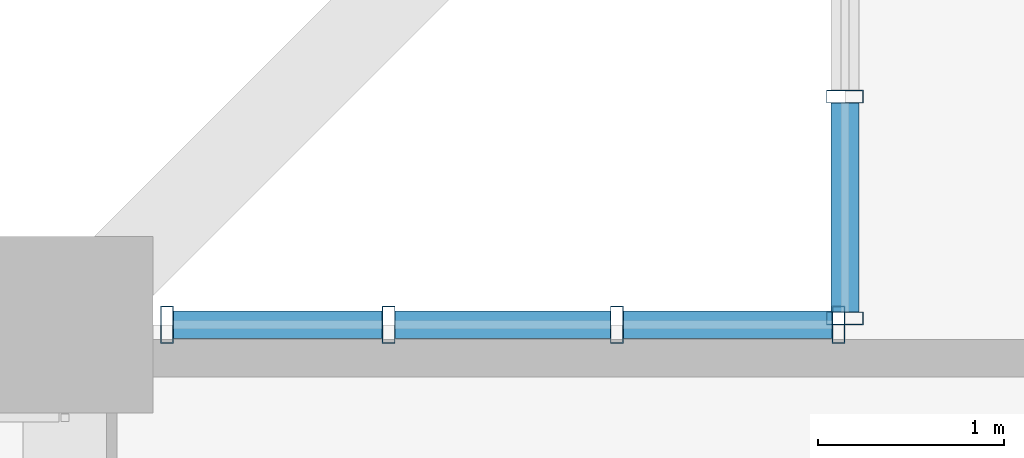
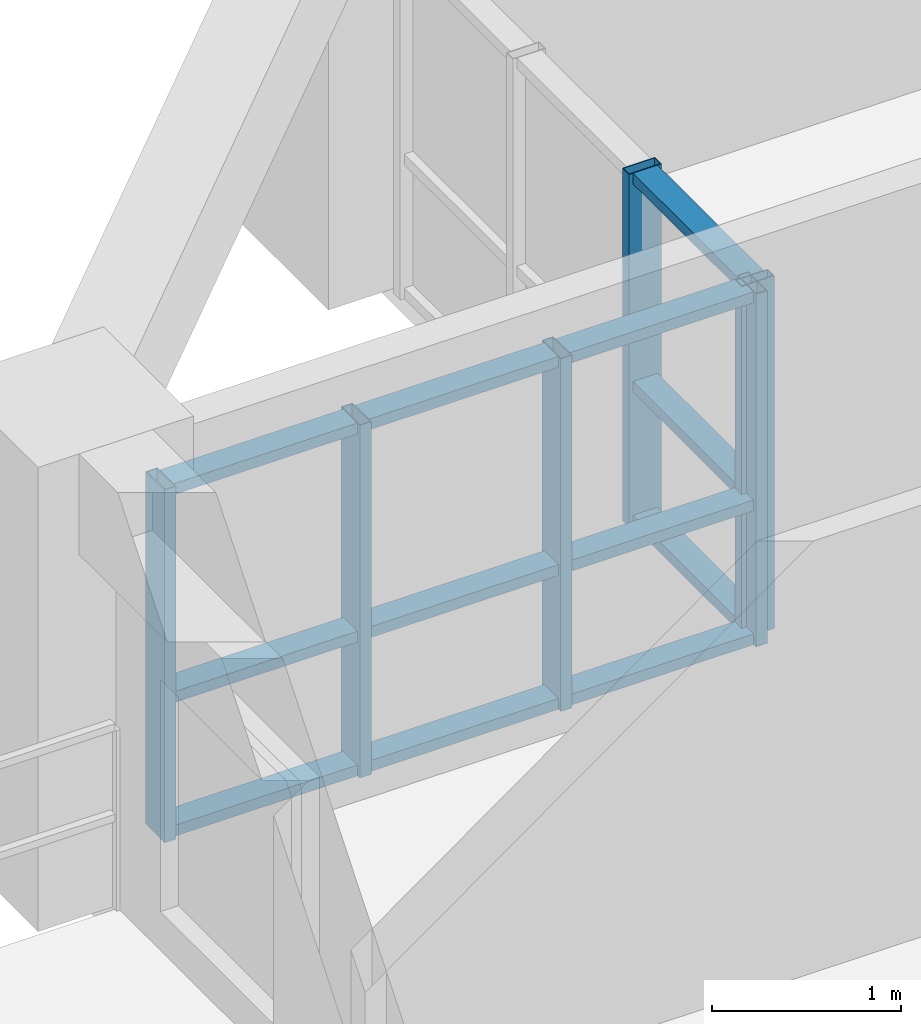
# One storey, part 6 of 24: 18 members, 2 elements without a shape of their own.
"""IFC4 building model written with IfcOpenShell, lengths in metres."""

from ifc_helpers import new_model, si_unit, direction, frame, origin, origin_2d, place, context, subcontext, project, spatial, hollow_rectangle, extrude, source, transform, mapped, material, layer, layer_set, material_profile, profile_set, type_object, element, aggregate, save


model = new_model("IFC4")

# Units and contexts
model_context = context("Model", 3, precision=1e-05, world=origin(), true_north=direction((0.0, 1.0)))
body_context = subcontext(model_context, "Body", "Model", "MODEL_VIEW")
ifc_project = project(units=[si_unit("LENGTHUNIT", "METRE"), si_unit("AREAUNIT", "SQUARE_METRE"), si_unit("VOLUMEUNIT", "CUBIC_METRE"), si_unit("PLANEANGLEUNIT", "RADIAN"), si_unit("MASSUNIT", "GRAM", prefix="KILO")], contexts=[model_context])

# Site, building, storey
site_placement = place(None, origin())
site = spatial("IfcSite", under=ifc_project, at=site_placement, CompositionType="ELEMENT")
building_placement = place(site_placement, origin())
building = spatial("IfcBuilding", under=site, at=building_placement, Name="Saelheon Loggia Tower", CompositionType="ELEMENT")
storey_placement = place(building_placement, frame((0.0, 0.0, 126.75)))
storey = spatial("IfcBuildingStorey", under=building, at=storey_placement, Name="L40", CompositionType="ELEMENT", Elevation=126.75)

# Curtain wall, members
ifc_material_1 = material(Name="High-Wind Aluminium and Triple Laminated Glass", Category="aluminium")
ifc_layer = layer(ifc_material_1, 0.179931640625)
ifc_layer_set = layer_set([ifc_layer], Name="High-Wind Aluminium and Triple Laminated Glass")
curtain_wall_type = type_object("IfcCurtainWallType", Name="CW_TowerLoggiaHigh", PredefinedType="NOTDEFINED", material=ifc_layer_set)
curtain_wall_1_placement = place(storey_placement, origin())
curtain_wall_1 = element("IfcCurtainWall", 1, at=curtain_wall_1_placement, inside=storey, type_object=curtain_wall_type, Name="L40 Corner Notch Glazing NW1", PredefinedType="NOTDEFINED")
ifc_material_2 = material(Name="Anodised Aluminium 6063-T6", Category="aluminium")
ifc_material_profile_1 = material_profile(ifc_material_2, hollow_rectangle(XDim=0.070068359375, YDim=0.199951171875, WallThickness=0.0048828125, at=origin_2d()), Name="RHS-200x70x5")
ifc_profile_set_1 = profile_set([ifc_material_profile_1], Name="Anodised Aluminium 6063-T6")
member_type_1 = type_object("IfcMemberType", Name="CW_TowerLoggiaHigh_Mullion", PredefinedType="MULLION", material=ifc_profile_set_1)
shared_shape_1 = source(origin(), body_context, "Body", "SweptSolid", [
    extrude(hollow_rectangle(XDim=0.070068359375, YDim=0.199951171875, WallThickness=0.0048828125, at=origin_2d()), origin(), (0.0, 0.0, 1.0), 2.280029296875),
])
member_1_placement = place(storey_placement, frame((16.199951171875, 46.8349609375, 0.0), z_axis=(0.0, 0.0, 1.0), x_axis=(0.0, 1.0, 0.0)))
member_1 = element("IfcMember", 2, at=member_1_placement, type_object=member_type_1, Name="CW4 mullion 1", PredefinedType="MULLION", context=body_context, shape_type="MappedRepresentation", body=[
    mapped(shared_shape_1, transform((0.0, 0.0, 0.0), scale=1.0)),
])
member_2_placement = place(storey_placement, frame((16.199951171875, 48.0283203125, 0.0), z_axis=(0.0, 0.0, 1.0), x_axis=(0.0, 1.0, 0.0)))
member_2 = element("IfcMember", 3, at=member_2_placement, type_object=member_type_1, Name="CW4 mullion 2", PredefinedType="MULLION", context=body_context, shape_type="MappedRepresentation", body=[
    mapped(shared_shape_1, transform((0.0, 0.0, 0.0), scale=1.0)),
])

curtain_wall_2_placement = place(storey_placement, origin())
curtain_wall_2 = element("IfcCurtainWall", 4, at=curtain_wall_2_placement, inside=storey, type_object=curtain_wall_type, Name="L40 Corner Notch Glazing NW2", PredefinedType="NOTDEFINED")
member_3_placement = place(storey_placement, frame((12.550048828125, 46.800048828125, 0.0), z_axis=(0.0, 0.0, 1.0), x_axis=(1.0, 0.0, 0.0)))
member_3 = element("IfcMember", 5, at=member_3_placement, type_object=member_type_1, Name="CW4 mullion 1", PredefinedType="MULLION", context=body_context, shape_type="MappedRepresentation", body=[
    mapped(shared_shape_1, transform((0.0, 0.0, 0.0), scale=1.0)),
])
member_4_placement = place(storey_placement, frame((13.743408203125, 46.800048828125, 0.0), z_axis=(0.0, 0.0, 1.0), x_axis=(1.0, 0.0, 0.0)))
member_4 = element("IfcMember", 6, at=member_4_placement, type_object=member_type_1, Name="CW4 mullion 2", PredefinedType="MULLION", context=body_context, shape_type="MappedRepresentation", body=[
    mapped(shared_shape_1, transform((0.0, 0.0, 0.0), scale=1.0)),
])
member_5_placement = place(storey_placement, frame((14.9716796875, 46.800048828125, 0.0), z_axis=(0.0, 0.0, 1.0), x_axis=(1.0, 0.0, 0.0)))
member_5 = element("IfcMember", 7, at=member_5_placement, type_object=member_type_1, Name="CW4 mullion 3", PredefinedType="MULLION", context=body_context, shape_type="MappedRepresentation", body=[
    mapped(shared_shape_1, transform((0.0, 0.0, 0.0), scale=1.0)),
])
member_6_placement = place(storey_placement, frame((16.1650390625, 46.800048828125, 0.0), z_axis=(0.0, 0.0, 1.0), x_axis=(1.0, 0.0, 0.0)))
member_6 = element("IfcMember", 8, at=member_6_placement, type_object=member_type_1, Name="CW4 mullion 4", PredefinedType="MULLION", context=body_context, shape_type="MappedRepresentation", body=[
    mapped(shared_shape_1, transform((0.0, 0.0, 0.0), scale=1.0)),
])

# Member
ifc_material_profile_2 = material_profile(ifc_material_2, hollow_rectangle(XDim=0.070068359375, YDim=0.14990234375, WallThickness=0.0048828125, at=origin_2d()), Name="RHS-150x70x5")
ifc_profile_set_2 = profile_set([ifc_material_profile_2], Name="Anodised Aluminium 6063-T6")
member_type_2 = type_object("IfcMemberType", Name="CW_TowerLoggiaHigh_Transom", PredefinedType="USERDEFINED", material=ifc_profile_set_2)
shared_shape_2 = source(origin(), body_context, "Body", "SweptSolid", [
    extrude(hollow_rectangle(XDim=0.070068359375, YDim=0.14990234375, WallThickness=0.0048828125, at=origin_2d()), origin(), (0.0, 0.0, 1.0), 1.123291015625),
])
member_7_placement = place(storey_placement, frame((16.199951171875, 46.8701171875, 0.034912109375), z_axis=(0.0, 1.0, 0.0), x_axis=(0.0, 0.0, 1.0)))
member_7 = element("IfcMember", 9, at=member_7_placement, type_object=member_type_2, Name="CW4 transom 1.1", ObjectType="TRANSOM", PredefinedType="USERDEFINED", context=body_context, shape_type="MappedRepresentation", body=[
    mapped(shared_shape_2, transform((0.0, 0.0, 0.0), scale=1.0)),
])

member_8_placement = place(storey_placement, frame((16.199951171875, 46.8701171875, 0.89990234375), z_axis=(0.0, 1.0, 0.0), x_axis=(0.0, 0.0, 1.0)))
member_8 = element("IfcMember", 10, at=member_8_placement, type_object=member_type_2, Name="CW4 transom 1.2", ObjectType="TRANSOM", PredefinedType="USERDEFINED", context=body_context, shape_type="MappedRepresentation", body=[
    mapped(shared_shape_2, transform((0.0, 0.0, 0.0), scale=1.0)),
])

member_9_placement = place(storey_placement, frame((16.199951171875, 46.8701171875, 2.2451171875), z_axis=(0.0, 1.0, 0.0), x_axis=(0.0, 0.0, 1.0)))
member_9 = element("IfcMember", 11, at=member_9_placement, type_object=member_type_2, Name="CW4 transom 1.3", ObjectType="TRANSOM", PredefinedType="USERDEFINED", context=body_context, shape_type="MappedRepresentation", body=[
    mapped(shared_shape_2, transform((0.0, 0.0, 0.0), scale=1.0)),
])

aggregate(curtain_wall_1, [member_1, member_2, member_7, member_8, member_9])

member_10_placement = place(storey_placement, frame((12.5849609375, 46.800048828125, 0.034912109375), z_axis=(1.0, 0.0, 0.0), x_axis=(0.0, 0.0, 1.0)))
member_10 = element("IfcMember", 12, at=member_10_placement, type_object=member_type_2, Name="CW4 transom 1.1", ObjectType="TRANSOM", PredefinedType="USERDEFINED", context=body_context, shape_type="MappedRepresentation", body=[
    mapped(shared_shape_2, transform((0.0, 0.0, 0.0), scale=1.0)),
])

member_11_placement = place(storey_placement, frame((12.5849609375, 46.800048828125, 0.89990234375), z_axis=(1.0, 0.0, 0.0), x_axis=(0.0, 0.0, 1.0)))
member_11 = element("IfcMember", 13, at=member_11_placement, type_object=member_type_2, Name="CW4 transom 1.2", ObjectType="TRANSOM", PredefinedType="USERDEFINED", context=body_context, shape_type="MappedRepresentation", body=[
    mapped(shared_shape_2, transform((0.0, 0.0, 0.0), scale=1.0)),
])

member_12_placement = place(storey_placement, frame((12.5849609375, 46.800048828125, 2.2451171875), z_axis=(1.0, 0.0, 0.0), x_axis=(0.0, 0.0, 1.0)))
member_12 = element("IfcMember", 14, at=member_12_placement, type_object=member_type_2, Name="CW4 transom 1.3", ObjectType="TRANSOM", PredefinedType="USERDEFINED", context=body_context, shape_type="MappedRepresentation", body=[
    mapped(shared_shape_2, transform((0.0, 0.0, 0.0), scale=1.0)),
])

member_13_placement = place(storey_placement, frame((15.006591796875, 46.800048828125, 0.034912109375), z_axis=(1.0, 0.0, 0.0), x_axis=(0.0, 0.0, 1.0)))
member_13 = element("IfcMember", 15, at=member_13_placement, type_object=member_type_2, Name="CW4 transom 3.1", ObjectType="TRANSOM", PredefinedType="USERDEFINED", context=body_context, shape_type="MappedRepresentation", body=[
    mapped(shared_shape_2, transform((0.0, 0.0, 0.0), scale=1.0)),
])

member_14_placement = place(storey_placement, frame((15.006591796875, 46.800048828125, 0.89990234375), z_axis=(1.0, 0.0, 0.0), x_axis=(0.0, 0.0, 1.0)))
member_14 = element("IfcMember", 16, at=member_14_placement, type_object=member_type_2, Name="CW4 transom 3.2", ObjectType="TRANSOM", PredefinedType="USERDEFINED", context=body_context, shape_type="MappedRepresentation", body=[
    mapped(shared_shape_2, transform((0.0, 0.0, 0.0), scale=1.0)),
])

member_15_placement = place(storey_placement, frame((15.006591796875, 46.800048828125, 2.2451171875), z_axis=(1.0, 0.0, 0.0), x_axis=(0.0, 0.0, 1.0)))
member_15 = element("IfcMember", 17, at=member_15_placement, type_object=member_type_2, Name="CW4 transom 3.3", ObjectType="TRANSOM", PredefinedType="USERDEFINED", context=body_context, shape_type="MappedRepresentation", body=[
    mapped(shared_shape_2, transform((0.0, 0.0, 0.0), scale=1.0)),
])

shared_shape_3 = source(origin(), body_context, "Body", "SweptSolid", [
    extrude(hollow_rectangle(XDim=0.070068359375, YDim=0.14990234375, WallThickness=0.0048828125, at=origin_2d()), origin(), (0.0, 0.0, 1.0), 1.158447265625),
])
member_16_placement = place(storey_placement, frame((13.7783203125, 46.800048828125, 0.034912109375), z_axis=(1.0, 0.0, 0.0), x_axis=(0.0, 0.0, 1.0)))
member_16 = element("IfcMember", 18, at=member_16_placement, type_object=member_type_2, Name="CW4 transom 2.1", ObjectType="TRANSOM", PredefinedType="USERDEFINED", context=body_context, shape_type="MappedRepresentation", body=[
    mapped(shared_shape_3, transform((0.0, 0.0, 0.0), scale=1.0)),
])

member_17_placement = place(storey_placement, frame((13.7783203125, 46.800048828125, 0.89990234375), z_axis=(1.0, 0.0, 0.0), x_axis=(0.0, 0.0, 1.0)))
member_17 = element("IfcMember", 19, at=member_17_placement, type_object=member_type_2, Name="CW4 transom 2.2", ObjectType="TRANSOM", PredefinedType="USERDEFINED", context=body_context, shape_type="MappedRepresentation", body=[
    mapped(shared_shape_3, transform((0.0, 0.0, 0.0), scale=1.0)),
])

member_18_placement = place(storey_placement, frame((13.7783203125, 46.800048828125, 2.2451171875), z_axis=(1.0, 0.0, 0.0), x_axis=(0.0, 0.0, 1.0)))
member_18 = element("IfcMember", 20, at=member_18_placement, type_object=member_type_2, Name="CW4 transom 2.3", ObjectType="TRANSOM", PredefinedType="USERDEFINED", context=body_context, shape_type="MappedRepresentation", body=[
    mapped(shared_shape_3, transform((0.0, 0.0, 0.0), scale=1.0)),
])

aggregate(curtain_wall_2, [member_3, member_4, member_5, member_6, member_10, member_11, member_12, member_16, member_17, member_18, member_13, member_14, member_15])

save(model, "model.ifc")
